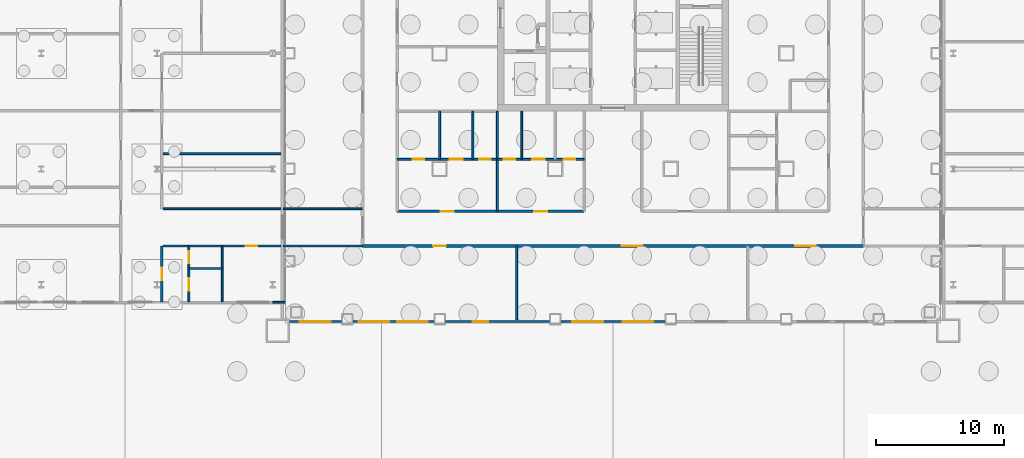
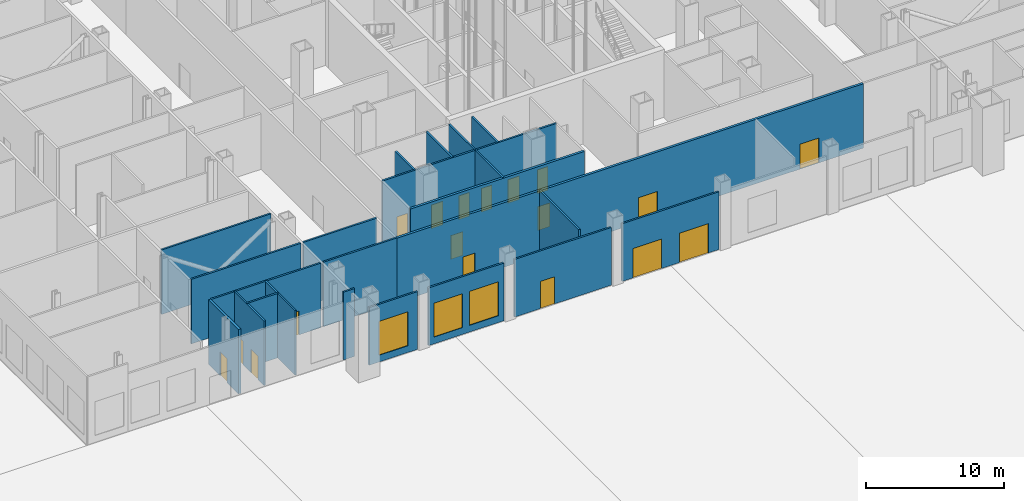
# One storey, part 4 of 36: 23 walls, 18 doors, 3 windows, 21 openings.
"""IFC4 building model written with IfcOpenShell, lengths in metres."""

from ifc_helpers import new_model, si_unit, direction, frame, frame_2d, origin, place, context, subcontext, project, spatial, rectangle, extrude, material, layer, layer_set, type_object, element, fill, save


model = new_model("IFC4")

# Units and contexts
model_context = context("Model", 3, precision=1e-05, world=origin(), true_north=direction((0.0, 1.0)))
body_context = subcontext(model_context, "Body", "Model", "MODEL_VIEW")
ifc_project = project(units=[si_unit("LENGTHUNIT", "METRE"), si_unit("AREAUNIT", "SQUARE_METRE"), si_unit("VOLUMEUNIT", "CUBIC_METRE"), si_unit("PLANEANGLEUNIT", "RADIAN"), si_unit("MASSUNIT", "GRAM", prefix="KILO")], contexts=[model_context])

# Site, building, storey
site_placement = place(None, origin())
site = spatial("IfcSite", under=ifc_project, at=site_placement, CompositionType="ELEMENT")
building_placement = place(site_placement, origin())
building = spatial("IfcBuilding", under=site, at=building_placement, Name="Malebo Sky Hospital", CompositionType="ELEMENT")
storey_placement = place(building_placement, origin())
storey = spatial("IfcBuildingStorey", under=building, at=storey_placement, Name="L00", CompositionType="ELEMENT", Elevation=0.0)

# Wall, openings, doors
ifc_material_1 = material(Name="Gypsum board on steel studs", Category="steel")
ifc_layer_1 = layer(ifc_material_1, 0.199951171875)
ifc_layer_set_1 = layer_set([ifc_layer_1], Name="CORRIDOR WALL 200")
wall_type_1 = type_object("IfcWallType", Name="CORRIDOR WALL 200", PredefinedType="PARTITIONING", material=ifc_layer_set_1)
wall_1_placement = place(storey_placement, frame((79.5, 42.5, 0.0), z_axis=(0.0, 0.0, 1.0), x_axis=(-1.0, 0.0, 0.0)))
wall_1 = element("IfcWall", 1, at=wall_1_placement, inside=storey, type_object=wall_type_1, Name="Corridor Wall 200 SCO", PredefinedType="PARTITIONING", context=body_context, shape_type="SweptSolid", body=[
    extrude(rectangle(XDim=39.0, YDim=0.199951171875, at=frame_2d((19.5, 0.0))), origin(), (0.0, 0.0, 1.0), 5.699951171875),
])
opening_1_placement = place(wall_1_placement, frame((3.699951171875, 0.0, 0.0)))
opening_1 = element("IfcOpeningElement", 2, at=opening_1_placement, cuts=wall_1, Name="Opening D14", PredefinedType="OPENING", context=body_context, shape_type="SweptSolid", body=[
    extrude(rectangle(XDim=1.60009765625, YDim=2.199951171875, at=frame_2d((0.800048828125, 1.10009765625))), frame((0.0, 0.10986328125, 0.0), z_axis=(0.0, -1.0, 0.0), x_axis=(1.0, 0.0, 0.0)), (0.0, 0.0, 1.0), 0.219970703125),
])
opening_2_placement = place(wall_1_placement, frame((17.199951171875, 0.0, 0.0)))
opening_2 = element("IfcOpeningElement", 3, at=opening_2_placement, cuts=wall_1, Name="Opening D14", PredefinedType="OPENING", context=body_context, shape_type="SweptSolid", body=[
    extrude(rectangle(XDim=1.60009765625, YDim=2.199951171875, at=frame_2d((0.800048828125, 1.10009765625))), frame((0.0, 0.10986328125, 0.0), z_axis=(0.0, -1.0, 0.0), x_axis=(1.0, 0.0, 0.0)), (0.0, 0.0, 1.0), 0.219970703125),
])
opening_3_placement = place(wall_1_placement, frame((32.5, 0.0, 0.0)))
opening_3 = element("IfcOpeningElement", 4, at=opening_3_placement, cuts=wall_1, Name="Opening D17", PredefinedType="OPENING", context=body_context, shape_type="SweptSolid", body=[
    extrude(rectangle(XDim=1.0, YDim=2.10009765625, at=frame_2d((0.5, 1.050048828125))), frame((0.0, 0.10986328125, 0.0), z_axis=(0.0, -1.0, 0.0), x_axis=(1.0, 0.0, 0.0)), (0.0, 0.0, 1.0), 0.219970703125),
])
ifc_material_2 = material(Name="Hardwood-faced door leaf in steel frame", Category="steel")
door_type_1 = type_object("IfcDoorType", Name="DEPARTMENT DOOR PAIR 1600", OperationType="DOUBLE_DOOR_DOUBLE_SWING", PredefinedType="DOOR", material=ifc_material_2)
door_1_placement = place(opening_1_placement, origin())
door_1 = element("IfcDoor", 5, at=door_1_placement, inside=storey, type_object=door_type_1, Name="Patient cafe door", OperationType="DOUBLE_DOOR_DOUBLE_SWING", OverallHeight=2.199951171875, OverallWidth=1.60009765625, PredefinedType="DOOR", context=body_context, shape_type="SweptSolid", body=[
    extrude(rectangle(XDim=1.60009765625, YDim=2.199951171875, at=frame_2d((0.800048828125, 1.10009765625))), frame((0.0, 0.02490234375, 0.0), z_axis=(0.0, -1.0, 0.0), x_axis=(1.0, 0.0, 0.0)), (0.0, 0.0, 1.0), 0.050048828125),
])
fill(opening_1, door_1)
door_2_placement = place(opening_2_placement, origin())
door_2 = element("IfcDoor", 6, at=door_2_placement, inside=storey, type_object=door_type_1, Name="Main entrance hall door", OperationType="DOUBLE_DOOR_DOUBLE_SWING", OverallHeight=2.199951171875, OverallWidth=1.60009765625, PredefinedType="DOOR", context=body_context, shape_type="SweptSolid", body=[
    extrude(rectangle(XDim=1.60009765625, YDim=2.199951171875, at=frame_2d((0.800048828125, 1.10009765625))), frame((0.0, 0.02490234375, 0.0), z_axis=(0.0, -1.0, 0.0), x_axis=(1.0, 0.0, 0.0)), (0.0, 0.0, 1.0), 0.050048828125),
])
fill(opening_2, door_2)
door_type_2 = type_object("IfcDoorType", Name="FIRE DOOR 1000", OperationType="SINGLE_SWING_LEFT", PredefinedType="DOOR", material=ifc_material_2)
door_3_placement = place(opening_3_placement, origin())
door_3 = element("IfcDoor", 7, at=door_3_placement, inside=storey, type_object=door_type_2, Name="Fire command centre door", OperationType="SINGLE_SWING_RIGHT", OverallHeight=2.10009765625, OverallWidth=1.0, PredefinedType="DOOR", context=body_context, shape_type="SweptSolid", body=[
    extrude(rectangle(XDim=1.0, YDim=2.10009765625, at=frame_2d((0.5, 1.050048828125))), frame((0.0, 0.02490234375, 0.0), z_axis=(0.0, -1.0, 0.0), x_axis=(1.0, 0.0, 0.0)), (0.0, 0.0, 1.0), 0.050048828125),
])
fill(opening_3, door_3)

wall_2_placement = place(storey_placement, frame((57.75, 45.199951171875, 0.0), z_axis=(0.0, 0.0, 1.0), x_axis=(-1.0, 0.0, 0.0)))
wall_2 = element("IfcWall", 8, at=wall_2_placement, inside=storey, type_object=wall_type_1, Name="Corridor Wall 200 SCI2", PredefinedType="PARTITIONING", context=body_context, shape_type="SweptSolid", body=[
    extrude(rectangle(XDim=14.550048828125, YDim=0.199951171875, at=frame_2d((7.27490234375, 0.0))), origin(), (0.0, 0.0, 1.0), 5.699951171875),
])
opening_4_placement = place(wall_2_placement, frame((2.875, 0.0, 0.0)))
opening_4 = element("IfcOpeningElement", 9, at=opening_4_placement, cuts=wall_2, Name="Opening D03", PredefinedType="OPENING", context=body_context, shape_type="SweptSolid", body=[
    extrude(rectangle(XDim=1.0, YDim=2.10009765625, at=frame_2d((0.5, 1.050048828125))), frame((0.0, 0.10986328125, 0.0), z_axis=(0.0, -1.0, 0.0), x_axis=(1.0, 0.0, 0.0)), (0.0, 0.0, 1.0), 0.219970703125),
])
opening_5_placement = place(wall_2_placement, frame((10.14990234375, 0.0, 0.0)))
opening_5 = element("IfcOpeningElement", 10, at=opening_5_placement, cuts=wall_2, Name="Opening D03", PredefinedType="OPENING", context=body_context, shape_type="SweptSolid", body=[
    extrude(rectangle(XDim=1.0, YDim=2.10009765625, at=frame_2d((0.5, 1.050048828125))), frame((0.0, 0.10986328125, 0.0), z_axis=(0.0, -1.0, 0.0), x_axis=(1.0, 0.0, 0.0)), (0.0, 0.0, 1.0), 0.219970703125),
])
door_type_3 = type_object("IfcDoorType", Name="ROOM DOOR 1000", OperationType="SINGLE_SWING_LEFT", PredefinedType="DOOR", material=ifc_material_2)
door_4_placement = place(opening_4_placement, origin())
door_4 = element("IfcDoor", 11, at=door_4_placement, inside=storey, type_object=door_type_3, Name="Staff WC vestibule door", OperationType="SINGLE_SWING_LEFT", OverallHeight=2.10009765625, OverallWidth=1.0, PredefinedType="DOOR", context=body_context, shape_type="SweptSolid", body=[
    extrude(rectangle(XDim=1.0, YDim=2.10009765625, at=frame_2d((0.5, 1.050048828125))), frame((0.0, 0.02490234375, 0.0), z_axis=(0.0, -1.0, 0.0), x_axis=(1.0, 0.0, 0.0)), (0.0, 0.0, 1.0), 0.050048828125),
])
fill(opening_4, door_4)
door_5_placement = place(opening_5_placement, origin())
door_5 = element("IfcDoor", 12, at=door_5_placement, inside=storey, type_object=door_type_3, Name="Patient WC vestibule door", OperationType="SINGLE_SWING_RIGHT", OverallHeight=2.10009765625, OverallWidth=1.0, PredefinedType="DOOR", context=body_context, shape_type="SweptSolid", body=[
    extrude(rectangle(XDim=1.0, YDim=2.10009765625, at=frame_2d((0.5, 1.050048828125))), frame((0.0, 0.02490234375, 0.0), z_axis=(0.0, -1.0, 0.0), x_axis=(1.0, 0.0, 0.0)), (0.0, 0.0, 1.0), 0.050048828125),
])
fill(opening_5, door_5)

# Wall, opening, door
wall_3_placement = place(storey_placement, frame((24.882080078125, 38.14990234375, 0.0), z_axis=(0.0, 0.0, 1.0), x_axis=(0.0, 1.0, 0.0)))
wall_3 = element("IfcWall", 13, at=wall_3_placement, inside=storey, type_object=wall_type_1, Name="Corridor Wall 200 WWC2A", PredefinedType="PARTITIONING", context=body_context, shape_type="SweptSolid", body=[
    extrude(rectangle(XDim=4.35009765625, YDim=0.199951171875, at=frame_2d((2.175048828125, 0.0))), origin(), (0.0, 0.0, 1.0), 5.699951171875),
])
opening_6_placement = place(wall_3_placement, frame((1.675048828125, 0.0, 0.0)))
opening_6 = element("IfcOpeningElement", 14, at=opening_6_placement, cuts=wall_3, Name="Opening D03", PredefinedType="OPENING", context=body_context, shape_type="SweptSolid", body=[
    extrude(rectangle(XDim=1.0, YDim=2.10009765625, at=frame_2d((0.5, 1.050048828125))), frame((0.0, 0.10986328125, 0.0), z_axis=(0.0, -1.0, 0.0), x_axis=(1.0, 0.0, 0.0)), (0.0, 0.0, 1.0), 0.219970703125),
])
door_6_placement = place(opening_6_placement, origin())
door_6 = element("IfcDoor", 15, at=door_6_placement, inside=storey, type_object=door_type_3, Name="WC vestibule door", OperationType="SINGLE_SWING_RIGHT", OverallHeight=2.10009765625, OverallWidth=1.0, PredefinedType="DOOR", context=body_context, shape_type="SweptSolid", body=[
    extrude(rectangle(XDim=1.0, YDim=2.10009765625, at=frame_2d((0.5, 1.050048828125))), frame((0.0, 0.02490234375, 0.0), z_axis=(0.0, -1.0, 0.0), x_axis=(1.0, 0.0, 0.0)), (0.0, 0.0, 1.0), 0.050048828125),
])
fill(opening_6, door_6)

# Wall
ifc_material_3 = material(Name="Anodised aluminium, natural silver framed screen", Category="aluminium")
ifc_layer_2 = layer(ifc_material_3, 0.14990234375)
ifc_layer_set_2 = layer_set([ifc_layer_2], Name="GLAZED ENTRANCE SCREEN 150")
wall_type_2 = type_object("IfcWallType", Name="GLAZED ENTRANCE SCREEN 150", PredefinedType="STANDARD", material=ifc_layer_set_2)
wall_4_placement = place(storey_placement, frame((33.5, 38.125, 0.0), z_axis=(0.0, 0.0, 1.0), x_axis=(1.0, 0.0, 0.0)))
element("IfcWall", 16, at=wall_4_placement, inside=storey, type_object=wall_type_2, Name="Glazed entrance screen WS", PredefinedType="STANDARD", context=body_context, shape_type="SweptSolid", body=[
    extrude(rectangle(XDim=0.949951171875, YDim=0.14990234375, at=frame_2d((0.47509765625, 0.0))), origin(), (0.0, 0.0, 1.0), 6.0),
])

# Wall, opening, window
wall_5_placement = place(storey_placement, frame((34.800048828125, 36.625, 0.0), z_axis=(0.0, 0.0, 1.0), x_axis=(1.0, 0.0, 0.0)))
wall_5 = element("IfcWall", 17, at=wall_5_placement, inside=storey, type_object=wall_type_2, Name="Glazed entrance screen BS", PredefinedType="STANDARD", context=body_context, shape_type="SweptSolid", body=[
    extrude(rectangle(XDim=4.050048828125, YDim=0.14990234375, at=frame_2d((2.02490234375, 0.0))), origin(), (0.0, 0.0, 1.0), 5.10009765625),
])
opening_7_placement = place(wall_5_placement, frame((0.824951171875, 0.0, 0.60009765625)))
opening_7 = element("IfcOpeningElement", 18, at=opening_7_placement, cuts=wall_5, Name="Opening W01", PredefinedType="OPENING", context=body_context, shape_type="SweptSolid", body=[
    extrude(rectangle(XDim=2.39990234375, YDim=3.0, at=frame_2d((1.199951171875, 1.5))), frame((0.0, 0.0849609375, 0.0), z_axis=(0.0, -1.0, 0.0), x_axis=(1.0, 0.0, 0.0)), (0.0, 0.0, 1.0), 0.169921875),
])
ifc_material_4 = material(Name="Clear low-iron double glazing", Category="glass")
window_type = type_object("IfcWindowType", Name="SCREEN GLAZING 2400x3000", PartitioningType="SINGLE_PANEL", PredefinedType="WINDOW", material=ifc_material_4)
window_1_placement = place(opening_7_placement, origin())
window_1 = element("IfcWindow", 19, at=window_1_placement, inside=storey, type_object=window_type, Name="Screen glazing 1", OverallHeight=3.0, OverallWidth=2.39990234375, PartitioningType="SINGLE_PANEL", PredefinedType="WINDOW", context=body_context, shape_type="SweptSolid", body=[
    extrude(rectangle(XDim=2.39990234375, YDim=3.0, at=frame_2d((1.199951171875, 1.5))), frame((0.0, 0.030029296875, 0.0), z_axis=(0.0, -1.0, 0.0), x_axis=(1.0, 0.0, 0.0)), (0.0, 0.0, 1.0), 0.06005859375),
])
fill(opening_7, window_1)

# Wall, openings, windows
wall_6_placement = place(storey_placement, frame((39.75, 36.625, 0.0), z_axis=(0.0, 0.0, 1.0), x_axis=(1.0, 0.0, 0.0)))
wall_6 = element("IfcWall", 20, at=wall_6_placement, inside=storey, type_object=wall_type_2, Name="Glazed entrance screen BS", PredefinedType="STANDARD", context=body_context, shape_type="SweptSolid", body=[
    extrude(rectangle(XDim=6.300048828125, YDim=0.14990234375, at=frame_2d((3.14990234375, 0.0))), origin(), (0.0, 0.0, 1.0), 5.10009765625),
])
opening_8_placement = place(wall_6_placement, frame((0.449951171875, 0.0, 0.60009765625)))
opening_8 = element("IfcOpeningElement", 21, at=opening_8_placement, cuts=wall_6, Name="Opening W01", PredefinedType="OPENING", context=body_context, shape_type="SweptSolid", body=[
    extrude(rectangle(XDim=2.39990234375, YDim=3.0, at=frame_2d((1.199951171875, 1.5))), frame((0.0, 0.0849609375, 0.0), z_axis=(0.0, -1.0, 0.0), x_axis=(1.0, 0.0, 0.0)), (0.0, 0.0, 1.0), 0.169921875),
])
opening_9_placement = place(wall_6_placement, frame((3.449951171875, 0.0, 0.60009765625)))
opening_9 = element("IfcOpeningElement", 22, at=opening_9_placement, cuts=wall_6, Name="Opening W01", PredefinedType="OPENING", context=body_context, shape_type="SweptSolid", body=[
    extrude(rectangle(XDim=2.39990234375, YDim=3.0, at=frame_2d((1.199951171875, 1.5))), frame((0.0, 0.0849609375, 0.0), z_axis=(0.0, -1.0, 0.0), x_axis=(1.0, 0.0, 0.0)), (0.0, 0.0, 1.0), 0.169921875),
])
window_2_placement = place(opening_8_placement, origin())
window_2 = element("IfcWindow", 23, at=window_2_placement, inside=storey, type_object=window_type, Name="Screen glazing 2", OverallHeight=3.0, OverallWidth=2.39990234375, PartitioningType="SINGLE_PANEL", PredefinedType="WINDOW", context=body_context, shape_type="SweptSolid", body=[
    extrude(rectangle(XDim=2.39990234375, YDim=3.0, at=frame_2d((1.199951171875, 1.5))), frame((0.0, 0.030029296875, 0.0), z_axis=(0.0, -1.0, 0.0), x_axis=(1.0, 0.0, 0.0)), (0.0, 0.0, 1.0), 0.06005859375),
])
fill(opening_8, window_2)
window_3_placement = place(opening_9_placement, origin())
window_3 = element("IfcWindow", 24, at=window_3_placement, inside=storey, type_object=window_type, Name="Screen glazing 3", OverallHeight=3.0, OverallWidth=2.39990234375, PartitioningType="SINGLE_PANEL", PredefinedType="WINDOW", context=body_context, shape_type="SweptSolid", body=[
    extrude(rectangle(XDim=2.39990234375, YDim=3.0, at=frame_2d((1.199951171875, 1.5))), frame((0.0, 0.030029296875, 0.0), z_axis=(0.0, -1.0, 0.0), x_axis=(1.0, 0.0, 0.0)), (0.0, 0.0, 1.0), 0.06005859375),
])
fill(opening_9, window_3)

# Wall, opening, door
wall_7_placement = place(storey_placement, frame((46.949951171875, 36.625, 0.0), z_axis=(0.0, 0.0, 1.0), x_axis=(1.0, 0.0, 0.0)))
wall_7 = element("IfcWall", 25, at=wall_7_placement, inside=storey, type_object=wall_type_2, Name="Glazed entrance screen BS", PredefinedType="STANDARD", context=body_context, shape_type="SweptSolid", body=[
    extrude(rectangle(XDim=8.10009765625, YDim=0.14990234375, at=frame_2d((4.050048828125, 0.0))), origin(), (0.0, 0.0, 1.0), 5.10009765625),
])
opening_10_placement = place(wall_7_placement, frame((2.14990234375, 0.0, 0.0)))
opening_10 = element("IfcOpeningElement", 26, at=opening_10_placement, cuts=wall_7, Name="Opening D16", PredefinedType="OPENING", context=body_context, shape_type="SweptSolid", body=[
    extrude(rectangle(XDim=1.199951171875, YDim=2.39990234375, at=frame_2d((0.60009765625, 1.199951171875))), frame((0.0, 0.0849609375, 0.0), z_axis=(0.0, -1.0, 0.0), x_axis=(1.0, 0.0, 0.0)), (0.0, 0.0, 1.0), 0.169921875),
])
ifc_material_5 = material(Name="Anodised aluminium, natural silver framed glazed door", Category="aluminium")
door_type_4 = type_object("IfcDoorType", Name="EXTERNAL FIRE SERVICE DOOR 1200", OperationType="SINGLE_SWING_LEFT", PredefinedType="DOOR", material=ifc_material_5)
door_7_placement = place(opening_10_placement, origin())
door_7 = element("IfcDoor", 27, at=door_7_placement, inside=storey, type_object=door_type_4, Name="Fire command centre door", OperationType="SINGLE_SWING_LEFT", OverallHeight=2.39990234375, OverallWidth=1.199951171875, PredefinedType="DOOR", context=body_context, shape_type="SweptSolid", body=[
    extrude(rectangle(XDim=1.199951171875, YDim=2.39990234375, at=frame_2d((0.60009765625, 1.199951171875))), frame((0.0, 0.02490234375, 0.0), z_axis=(0.0, -1.0, 0.0), x_axis=(1.0, 0.0, 0.0)), (0.0, 0.0, 1.0), 0.050048828125),
])
fill(opening_10, door_7)

# Wall, openings, doors
wall_8_placement = place(storey_placement, frame((55.949951171875, 36.625, 0.0), z_axis=(0.0, 0.0, 1.0), x_axis=(1.0, 0.0, 0.0)))
wall_8 = element("IfcWall", 28, at=wall_8_placement, inside=storey, type_object=wall_type_2, Name="Glazed entrance screen BS", PredefinedType="STANDARD", context=body_context, shape_type="SweptSolid", body=[
    extrude(rectangle(XDim=8.10009765625, YDim=0.14990234375, at=frame_2d((4.050048828125, 0.0))), origin(), (0.0, 0.0, 1.0), 5.10009765625),
])
opening_11_placement = place(wall_8_placement, frame((0.89990234375, 0.0, 0.0)))
opening_11 = element("IfcOpeningElement", 29, at=opening_11_placement, cuts=wall_8, Name="Opening D10", PredefinedType="OPENING", context=body_context, shape_type="SweptSolid", body=[
    extrude(rectangle(XDim=2.39990234375, YDim=2.60009765625, at=frame_2d((1.199951171875, 1.300048828125))), frame((0.0, 0.0849609375, 0.0), z_axis=(0.0, -1.0, 0.0), x_axis=(1.0, 0.0, 0.0)), (0.0, 0.0, 1.0), 0.169921875),
])
opening_12_placement = place(wall_8_placement, frame((4.800048828125, 0.0, 0.0)))
opening_12 = element("IfcOpeningElement", 30, at=opening_12_placement, cuts=wall_8, Name="Opening D10", PredefinedType="OPENING", context=body_context, shape_type="SweptSolid", body=[
    extrude(rectangle(XDim=2.39990234375, YDim=2.60009765625, at=frame_2d((1.199951171875, 1.300048828125))), frame((0.0, 0.0849609375, 0.0), z_axis=(0.0, -1.0, 0.0), x_axis=(1.0, 0.0, 0.0)), (0.0, 0.0, 1.0), 0.169921875),
])
door_type_5 = type_object("IfcDoorType", Name="AUTOMATIC SLIDING ENTRANCE DOOR 2400", OperationType="DOUBLE_DOOR_SLIDING", PredefinedType="DOOR", material=ifc_material_5)
door_8_placement = place(opening_11_placement, origin())
door_8 = element("IfcDoor", 31, at=door_8_placement, inside=storey, type_object=door_type_5, Name="Main entrance doors west", OperationType="DOUBLE_DOOR_SLIDING", OverallHeight=2.60009765625, OverallWidth=2.39990234375, PredefinedType="DOOR", context=body_context, shape_type="SweptSolid", body=[
    extrude(rectangle(XDim=2.39990234375, YDim=2.60009765625, at=frame_2d((1.199951171875, 1.300048828125))), frame((0.0, 0.02490234375, 0.0), z_axis=(0.0, -1.0, 0.0), x_axis=(1.0, 0.0, 0.0)), (0.0, 0.0, 1.0), 0.050048828125),
])
fill(opening_11, door_8)
door_9_placement = place(opening_12_placement, origin())
door_9 = element("IfcDoor", 32, at=door_9_placement, inside=storey, type_object=door_type_5, Name="Main entrance doors east", OperationType="DOUBLE_DOOR_SLIDING", OverallHeight=2.60009765625, OverallWidth=2.39990234375, PredefinedType="DOOR", context=body_context, shape_type="SweptSolid", body=[
    extrude(rectangle(XDim=2.39990234375, YDim=2.60009765625, at=frame_2d((1.199951171875, 1.300048828125))), frame((0.0, 0.02490234375, 0.0), z_axis=(0.0, -1.0, 0.0), x_axis=(1.0, 0.0, 0.0)), (0.0, 0.0, 1.0), 0.050048828125),
])
fill(opening_12, door_9)

# Walls
ifc_layer_3 = layer(ifc_material_1, 0.14990234375)
ifc_layer_set_3 = layer_set([ifc_layer_3], Name="PARTITION 150")
wall_type_3 = type_object("IfcWallType", Name="PARTITION 150", PredefinedType="PARTITIONING", material=ifc_layer_set_3)
for number, where, z_axis, x_axis, name in (
    (33, (40.5, 42.5, 0.0), (0.0, 0.0, 1.0), (-1.0, 0.0, 0.0), "Partition 150 WP-19.5"),
    (34, (40.5, 45.39990234375, 0.0), (0.0, 0.0, 1.0), (-1.0, 0.0, 0.0), "Partition 150 WP-16.6"),
):
    element("IfcWall", number, at=place(storey_placement, frame(where, z_axis=z_axis, x_axis=x_axis)), inside=storey, type_object=wall_type_3, Name=name, PredefinedType="PARTITIONING", context=body_context, shape_type="SweptSolid", body=[
        extrude(rectangle(XDim=6.14990234375, YDim=0.14990234375, at=frame_2d((3.074951171875, 0.0))), origin(), (0.0, 0.0, 1.0), 5.699951171875),
    ])
wall_9_placement = place(storey_placement, frame((52.5, 42.5, 0.0), z_axis=(0.0, 0.0, 1.0), x_axis=(0.0, -1.0, 0.0)))
element("IfcWall", 35, at=wall_9_placement, inside=storey, type_object=wall_type_3, Name="Partition 150 SP+7.5", PredefinedType="PARTITIONING", context=body_context, shape_type="SweptSolid", body=[
    extrude(rectangle(XDim=5.75, YDim=0.14990234375, at=frame_2d((2.875, 0.0))), origin(), (0.0, 0.0, 1.0), 5.699951171875),
])
wall_10_placement = place(storey_placement, frame((51.0, 53.0, 0.0), z_axis=(0.0, 0.0, 1.0), x_axis=(0.0, -1.0, 0.0)))
element("IfcWall", 36, at=wall_10_placement, inside=storey, type_object=wall_type_3, Name="Partition 150 SSP9", PredefinedType="PARTITIONING", context=body_context, shape_type="SweptSolid", body=[
    extrude(rectangle(XDim=7.800048828125, YDim=0.14990234375, at=frame_2d((3.89990234375, 0.0))), origin(), (0.0, 0.0, 1.0), 5.699951171875),
])

# Wall, openings, doors
wall_11_placement = place(storey_placement, frame((57.75, 49.25, 0.0), z_axis=(0.0, 0.0, 1.0), x_axis=(-1.0, 0.0, 0.0)))
wall_11 = element("IfcWall", 37, at=wall_11_placement, inside=storey, type_object=wall_type_3, Name="Partition 150 SS1F", PredefinedType="PARTITIONING", context=body_context, shape_type="SweptSolid", body=[
    extrude(rectangle(XDim=6.75, YDim=0.14990234375, at=frame_2d((3.375, 0.0))), origin(), (0.0, 0.0, 1.0), 5.699951171875),
])
opening_13_placement = place(wall_11_placement, frame((0.675048828125, 0.0, 0.0)))
opening_13 = element("IfcOpeningElement", 38, at=opening_13_placement, cuts=wall_11, Name="Opening D04", PredefinedType="OPENING", context=body_context, shape_type="SweptSolid", body=[
    extrude(rectangle(XDim=0.89990234375, YDim=2.10009765625, at=frame_2d((0.449951171875, 1.050048828125))), frame((0.0, 0.0849609375, 0.0), z_axis=(0.0, -1.0, 0.0), x_axis=(1.0, 0.0, 0.0)), (0.0, 0.0, 1.0), 0.169921875),
])
opening_14_placement = place(wall_11_placement, frame((3.050048828125, 0.0, 0.0)))
opening_14 = element("IfcOpeningElement", 39, at=opening_14_placement, cuts=wall_11, Name="Opening D03", PredefinedType="OPENING", context=body_context, shape_type="SweptSolid", body=[
    extrude(rectangle(XDim=1.0, YDim=2.10009765625, at=frame_2d((0.5, 1.050048828125))), frame((0.0, 0.0849609375, 0.0), z_axis=(0.0, -1.0, 0.0), x_axis=(1.0, 0.0, 0.0)), (0.0, 0.0, 1.0), 0.169921875),
])
opening_15_placement = place(wall_11_placement, frame((5.35009765625, 0.0, 0.0)))
opening_15 = element("IfcOpeningElement", 40, at=opening_15_placement, cuts=wall_11, Name="Opening D04", PredefinedType="OPENING", context=body_context, shape_type="SweptSolid", body=[
    extrude(rectangle(XDim=0.89990234375, YDim=2.10009765625, at=frame_2d((0.449951171875, 1.050048828125))), frame((0.0, 0.0849609375, 0.0), z_axis=(0.0, -1.0, 0.0), x_axis=(1.0, 0.0, 0.0)), (0.0, 0.0, 1.0), 0.169921875),
])
door_10_placement = place(opening_14_placement, origin())
door_10 = element("IfcDoor", 41, at=door_10_placement, inside=storey, type_object=door_type_3, Name="Accessible WC door", OperationType="SINGLE_SWING_LEFT", OverallHeight=2.10009765625, OverallWidth=1.0, PredefinedType="DOOR", context=body_context, shape_type="SweptSolid", body=[
    extrude(rectangle(XDim=1.0, YDim=2.10009765625, at=frame_2d((0.5, 1.050048828125))), frame((0.0, 0.02490234375, 0.0), z_axis=(0.0, -1.0, 0.0), x_axis=(1.0, 0.0, 0.0)), (0.0, 0.0, 1.0), 0.050048828125),
])
fill(opening_14, door_10)
door_type_6 = type_object("IfcDoorType", Name="ROOM DOOR 900", OperationType="SINGLE_SWING_LEFT", PredefinedType="DOOR", material=ifc_material_2)
door_11_placement = place(opening_13_placement, origin())
door_11 = element("IfcDoor", 42, at=door_11_placement, inside=storey, type_object=door_type_6, Name="Staff WC door", OperationType="SINGLE_SWING_LEFT", OverallHeight=2.10009765625, OverallWidth=0.89990234375, PredefinedType="DOOR", context=body_context, shape_type="SweptSolid", body=[
    extrude(rectangle(XDim=0.89990234375, YDim=2.10009765625, at=frame_2d((0.449951171875, 1.050048828125))), frame((0.0, 0.02490234375, 0.0), z_axis=(0.0, -1.0, 0.0), x_axis=(1.0, 0.0, 0.0)), (0.0, 0.0, 1.0), 0.050048828125),
])
fill(opening_13, door_11)
door_12_placement = place(opening_15_placement, origin())
door_12 = element("IfcDoor", 43, at=door_12_placement, inside=storey, type_object=door_type_6, Name="Staff WC door", OperationType="SINGLE_SWING_LEFT", OverallHeight=2.10009765625, OverallWidth=0.89990234375, PredefinedType="DOOR", context=body_context, shape_type="SweptSolid", body=[
    extrude(rectangle(XDim=0.89990234375, YDim=2.10009765625, at=frame_2d((0.449951171875, 1.050048828125))), frame((0.0, 0.02490234375, 0.0), z_axis=(0.0, -1.0, 0.0), x_axis=(1.0, 0.0, 0.0)), (0.0, 0.0, 1.0), 0.050048828125),
])
fill(opening_15, door_12)

# Wall
wall_12_placement = place(storey_placement, frame((52.89990234375, 53.0, 0.0), z_axis=(0.0, 0.0, 1.0), x_axis=(0.0, -1.0, 0.0)))
element("IfcWall", 44, at=wall_12_placement, inside=storey, type_object=wall_type_3, Name="Partition 150 SS1W2", PredefinedType="PARTITIONING", context=body_context, shape_type="SweptSolid", body=[
    extrude(rectangle(XDim=3.75, YDim=0.14990234375, at=frame_2d((1.875, 0.0))), origin(), (0.0, 0.0, 1.0), 5.699951171875),
])

# Wall, openings, doors
wall_13_placement = place(storey_placement, frame((51.0, 49.25, 0.0), z_axis=(0.0, 0.0, 1.0), x_axis=(-1.0, 0.0, 0.0)))
wall_13 = element("IfcWall", 45, at=wall_13_placement, inside=storey, type_object=wall_type_3, Name="Partition 150 SS2F", PredefinedType="PARTITIONING", context=body_context, shape_type="SweptSolid", body=[
    extrude(rectangle(XDim=7.800048828125, YDim=0.14990234375, at=frame_2d((3.89990234375, 0.0))), origin(), (0.0, 0.0, 1.0), 5.699951171875),
])
opening_16_placement = place(wall_13_placement, frame((0.5, 0.0, 0.0)))
opening_16 = element("IfcOpeningElement", 46, at=opening_16_placement, cuts=wall_13, Name="Opening D04", PredefinedType="OPENING", context=body_context, shape_type="SweptSolid", body=[
    extrude(rectangle(XDim=0.89990234375, YDim=2.10009765625, at=frame_2d((0.449951171875, 1.050048828125))), frame((0.0, 0.0849609375, 0.0), z_axis=(0.0, -1.0, 0.0), x_axis=(1.0, 0.0, 0.0)), (0.0, 0.0, 1.0), 0.169921875),
])
opening_17_placement = place(wall_13_placement, frame((2.699951171875, 0.0, 0.0)))
opening_17 = element("IfcOpeningElement", 47, at=opening_17_placement, cuts=wall_13, Name="Opening D03", PredefinedType="OPENING", context=body_context, shape_type="SweptSolid", body=[
    extrude(rectangle(XDim=1.0, YDim=2.10009765625, at=frame_2d((0.5, 1.050048828125))), frame((0.0, 0.0849609375, 0.0), z_axis=(0.0, -1.0, 0.0), x_axis=(1.0, 0.0, 0.0)), (0.0, 0.0, 1.0), 0.169921875),
])
opening_18_placement = place(wall_13_placement, frame((5.699951171875, 0.0, 0.0)))
opening_18 = element("IfcOpeningElement", 48, at=opening_18_placement, cuts=wall_13, Name="Opening D04", PredefinedType="OPENING", context=body_context, shape_type="SweptSolid", body=[
    extrude(rectangle(XDim=0.89990234375, YDim=2.10009765625, at=frame_2d((0.449951171875, 1.050048828125))), frame((0.0, 0.0849609375, 0.0), z_axis=(0.0, -1.0, 0.0), x_axis=(1.0, 0.0, 0.0)), (0.0, 0.0, 1.0), 0.169921875),
])
door_13_placement = place(opening_17_placement, origin())
door_13 = element("IfcDoor", 49, at=door_13_placement, inside=storey, type_object=door_type_3, Name="Accessible WC door", OperationType="SINGLE_SWING_LEFT", OverallHeight=2.10009765625, OverallWidth=1.0, PredefinedType="DOOR", context=body_context, shape_type="SweptSolid", body=[
    extrude(rectangle(XDim=1.0, YDim=2.10009765625, at=frame_2d((0.5, 1.050048828125))), frame((0.0, 0.02490234375, 0.0), z_axis=(0.0, -1.0, 0.0), x_axis=(1.0, 0.0, 0.0)), (0.0, 0.0, 1.0), 0.050048828125),
])
fill(opening_17, door_13)
door_14_placement = place(opening_16_placement, origin())
door_14 = element("IfcDoor", 50, at=door_14_placement, inside=storey, type_object=door_type_6, Name="Patient WC door", OperationType="SINGLE_SWING_LEFT", OverallHeight=2.10009765625, OverallWidth=0.89990234375, PredefinedType="DOOR", context=body_context, shape_type="SweptSolid", body=[
    extrude(rectangle(XDim=0.89990234375, YDim=2.10009765625, at=frame_2d((0.449951171875, 1.050048828125))), frame((0.0, 0.02490234375, 0.0), z_axis=(0.0, -1.0, 0.0), x_axis=(1.0, 0.0, 0.0)), (0.0, 0.0, 1.0), 0.050048828125),
])
fill(opening_16, door_14)
door_15_placement = place(opening_18_placement, origin())
door_15 = element("IfcDoor", 51, at=door_15_placement, inside=storey, type_object=door_type_6, Name="Patient WC door", OperationType="SINGLE_SWING_RIGHT", OverallHeight=2.10009765625, OverallWidth=0.89990234375, PredefinedType="DOOR", context=body_context, shape_type="SweptSolid", body=[
    extrude(rectangle(XDim=0.89990234375, YDim=2.10009765625, at=frame_2d((0.449951171875, 1.050048828125))), frame((0.0, 0.02490234375, 0.0), z_axis=(0.0, -1.0, 0.0), x_axis=(1.0, 0.0, 0.0)), (0.0, 0.0, 1.0), 0.050048828125),
])
fill(opening_18, door_15)

# Walls
wall_14_placement = place(storey_placement, frame((49.10009765625, 53.0, 0.0), z_axis=(0.0, 0.0, 1.0), x_axis=(0.0, -1.0, 0.0)))
element("IfcWall", 52, at=wall_14_placement, inside=storey, type_object=wall_type_3, Name="Partition 150 SS2W1", PredefinedType="PARTITIONING", context=body_context, shape_type="SweptSolid", body=[
    extrude(rectangle(XDim=3.75, YDim=0.14990234375, at=frame_2d((1.875, 0.0))), origin(), (0.0, 0.0, 1.0), 5.699951171875),
])
wall_15_placement = place(storey_placement, frame((46.5, 53.0, 0.0), z_axis=(0.0, 0.0, 1.0), x_axis=(0.0, -1.0, 0.0)))
element("IfcWall", 53, at=wall_15_placement, inside=storey, type_object=wall_type_3, Name="Partition 150 SS2W2", PredefinedType="PARTITIONING", context=body_context, shape_type="SweptSolid", body=[
    extrude(rectangle(XDim=3.75, YDim=0.14990234375, at=frame_2d((1.875, 0.0))), origin(), (0.0, 0.0, 1.0), 4.89990234375),
])
wall_16_placement = place(storey_placement, frame((26.98193359375, 40.75, 0.0), z_axis=(0.0, 0.0, 1.0), x_axis=(1.0, 0.0, 0.0)))
element("IfcWall", 54, at=wall_16_placement, inside=storey, type_object=wall_type_3, Name="Partition 150 WIH00", PredefinedType="PARTITIONING", context=body_context, shape_type="SweptSolid", body=[
    extrude(rectangle(XDim=2.60009765625, YDim=0.14990234375, at=frame_2d((1.300048828125, 0.0))), origin(), (0.0, 0.0, 1.0), 5.699951171875),
])

# Wall, opening, door
wall_17_placement = place(storey_placement, frame((24.98193359375, 42.5, 0.0), z_axis=(0.0, 0.0, 1.0), x_axis=(1.0, 0.0, 0.0)))
wall_17 = element("IfcWall", 55, at=wall_17_placement, inside=storey, type_object=wall_type_3, Name="Partition 150 WIH01", PredefinedType="PARTITIONING", context=body_context, shape_type="SweptSolid", body=[
    extrude(rectangle(XDim=9.16796875, YDim=0.14990234375, at=frame_2d((4.583984375, 0.0))), origin(), (0.0, 0.0, 1.0), 5.699951171875),
])
opening_19_placement = place(wall_17_placement, frame((6.43408203125, 0.0, 0.0)))
opening_19 = element("IfcOpeningElement", 56, at=opening_19_placement, cuts=wall_17, Name="Opening D04", PredefinedType="OPENING", context=body_context, shape_type="SweptSolid", body=[
    extrude(rectangle(XDim=0.89990234375, YDim=2.10009765625, at=frame_2d((0.449951171875, 1.050048828125))), frame((0.0, 0.0849609375, 0.0), z_axis=(0.0, -1.0, 0.0), x_axis=(1.0, 0.0, 0.0)), (0.0, 0.0, 1.0), 0.169921875),
])
door_16_placement = place(opening_19_placement, origin())
door_16 = element("IfcDoor", 57, at=door_16_placement, inside=storey, type_object=door_type_6, Name="Cleaner's room inner door", OperationType="SINGLE_SWING_LEFT", OverallHeight=2.10009765625, OverallWidth=0.89990234375, PredefinedType="DOOR", context=body_context, shape_type="SweptSolid", body=[
    extrude(rectangle(XDim=0.89990234375, YDim=2.10009765625, at=frame_2d((0.449951171875, 1.050048828125))), frame((0.0, 0.02490234375, 0.0), z_axis=(0.0, -1.0, 0.0), x_axis=(1.0, 0.0, 0.0)), (0.0, 0.0, 1.0), 0.050048828125),
])
fill(opening_19, door_16)

# Walls
for number, where, z_axis, x_axis, name in (
    (58, (24.98193359375, 45.39990234375, 0.0), (0.0, 0.0, 1.0), (1.0, 0.0, 0.0), "Partition 150 WIH02"),
    (59, (24.98193359375, 49.699951171875, 0.0), (0.0, 0.0, 1.0), (1.0, 0.0, 0.0), "Partition 150 WIH03"),
):
    element("IfcWall", number, at=place(storey_placement, frame(where, z_axis=z_axis, x_axis=x_axis)), inside=storey, type_object=wall_type_3, Name=name, PredefinedType="PARTITIONING", context=body_context, shape_type="SweptSolid", body=[
        extrude(rectangle(XDim=9.16796875, YDim=0.14990234375, at=frame_2d((4.583984375, 0.0))), origin(), (0.0, 0.0, 1.0), 5.699951171875),
    ])

# Wall, openings, doors
wall_18_placement = place(storey_placement, frame((26.98193359375, 38.14990234375, 0.0), z_axis=(0.0, 0.0, 1.0), x_axis=(0.0, 1.0, 0.0)))
wall_18 = element("IfcWall", 60, at=wall_18_placement, inside=storey, type_object=wall_type_3, Name="Partition 150 WIV12", PredefinedType="PARTITIONING", context=body_context, shape_type="SweptSolid", body=[
    extrude(rectangle(XDim=4.35009765625, YDim=0.14990234375, at=frame_2d((2.175048828125, 0.0))), origin(), (0.0, 0.0, 1.0), 5.699951171875),
])
opening_20_placement = place(wall_18_placement, frame((0.85009765625, 0.0, 0.0)))
opening_20 = element("IfcOpeningElement", 61, at=opening_20_placement, cuts=wall_18, Name="Opening D03", PredefinedType="OPENING", context=body_context, shape_type="SweptSolid", body=[
    extrude(rectangle(XDim=1.0, YDim=2.10009765625, at=frame_2d((0.5, 1.050048828125))), frame((0.0, 0.0849609375, 0.0), z_axis=(0.0, -1.0, 0.0), x_axis=(1.0, 0.0, 0.0)), (0.0, 0.0, 1.0), 0.169921875),
])
opening_21_placement = place(wall_18_placement, frame((3.02490234375, 0.0, 0.0)))
opening_21 = element("IfcOpeningElement", 62, at=opening_21_placement, cuts=wall_18, Name="Opening D04", PredefinedType="OPENING", context=body_context, shape_type="SweptSolid", body=[
    extrude(rectangle(XDim=0.89990234375, YDim=2.10009765625, at=frame_2d((0.449951171875, 1.050048828125))), frame((0.0, 0.0849609375, 0.0), z_axis=(0.0, -1.0, 0.0), x_axis=(1.0, 0.0, 0.0)), (0.0, 0.0, 1.0), 0.169921875),
])
door_17_placement = place(opening_20_placement, origin())
door_17 = element("IfcDoor", 63, at=door_17_placement, inside=storey, type_object=door_type_3, Name="Accessible WC inner door", OperationType="SINGLE_SWING_RIGHT", OverallHeight=2.10009765625, OverallWidth=1.0, PredefinedType="DOOR", context=body_context, shape_type="SweptSolid", body=[
    extrude(rectangle(XDim=1.0, YDim=2.10009765625, at=frame_2d((0.5, 1.050048828125))), frame((0.0, 0.02490234375, 0.0), z_axis=(0.0, -1.0, 0.0), x_axis=(1.0, 0.0, 0.0)), (0.0, 0.0, 1.0), 0.050048828125),
])
fill(opening_20, door_17)
door_18_placement = place(opening_21_placement, origin())
door_18 = element("IfcDoor", 64, at=door_18_placement, inside=storey, type_object=door_type_6, Name="Staff WC inner door", OperationType="SINGLE_SWING_LEFT", OverallHeight=2.10009765625, OverallWidth=0.89990234375, PredefinedType="DOOR", context=body_context, shape_type="SweptSolid", body=[
    extrude(rectangle(XDim=0.89990234375, YDim=2.10009765625, at=frame_2d((0.449951171875, 1.050048828125))), frame((0.0, 0.02490234375, 0.0), z_axis=(0.0, -1.0, 0.0), x_axis=(1.0, 0.0, 0.0)), (0.0, 0.0, 1.0), 0.050048828125),
])
fill(opening_21, door_18)

# Wall
wall_19_placement = place(storey_placement, frame((29.58203125, 38.14990234375, 0.0), z_axis=(0.0, 0.0, 1.0), x_axis=(0.0, 1.0, 0.0)))
element("IfcWall", 65, at=wall_19_placement, inside=storey, type_object=wall_type_3, Name="Partition 150 WIV14", PredefinedType="PARTITIONING", context=body_context, shape_type="SweptSolid", body=[
    extrude(rectangle(XDim=4.35009765625, YDim=0.14990234375, at=frame_2d((2.175048828125, 0.0))), origin(), (0.0, 0.0, 1.0), 5.699951171875),
])

save(model, "model.ifc")
